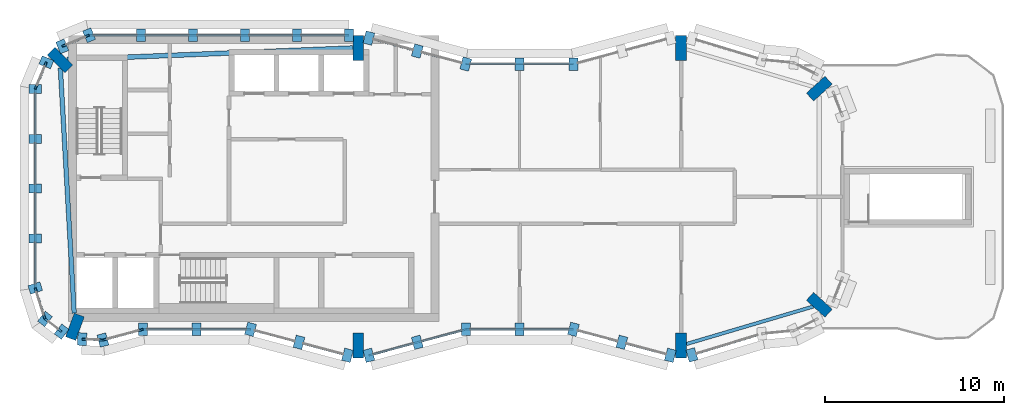
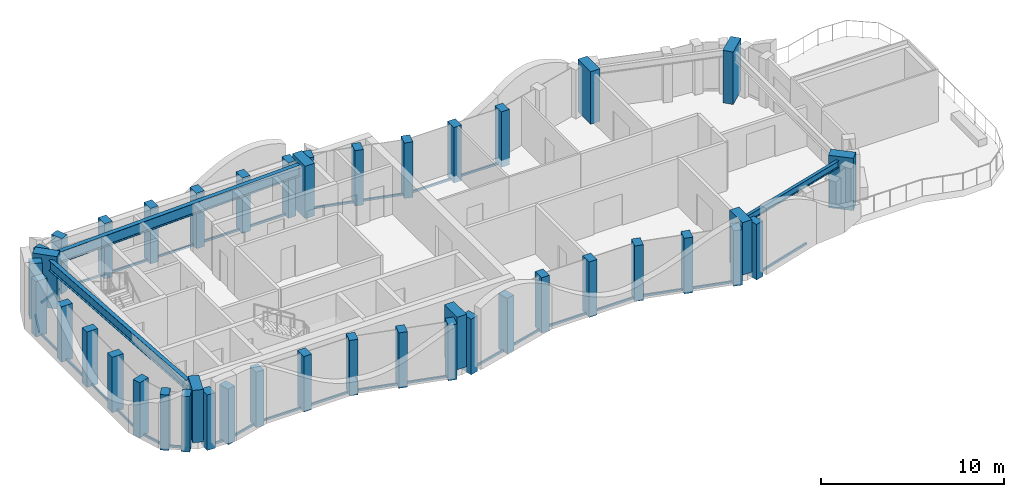
# One storey, part 1 of 9: 51 members, 8 columns, 3 beams, 16 elements without a shape of their own.
"""IFC4 building model written with IfcOpenShell, lengths in metres."""

import ifcopenshell
import ifcopenshell.guid

model = None  # the IFC model being written
_history = None  # IfcOwnerHistory: only IFC2X3 demands one
_inside = {}  # id of a spatial element -> (the spatial element, [elements in it])
_under = {}  # id of a project, library or spatial element -> (it, [spatial elements below it])
_declared = {}  # id of a project -> (the project, [libraries it declares])
_typed = {}  # id of a type object -> (the type object, [elements of that type])
_made_of = {}  # id of a material, layer set ... -> (it, [elements and type objects made of it])


def new_model(schema):
    """Start an empty IFC model of exactly this schema.

    Asked for "IFC4X3", IfcOpenShell would pick the latest addendum, in which some entities
    have other attributes; the version numbers below select the first issue.
    IFC2X3 requires an IfcOwnerHistory on every rooted entity: one is made here for all.
    """
    global model, _history
    if schema == "IFC4X3":
        model = ifcopenshell.file(schema_version=(4, 3, 0, 0))
    else:
        model = ifcopenshell.file(schema=schema)
    _inside.clear()
    _under.clear()
    _declared.clear()
    _typed.clear()
    _made_of.clear()
    _history = None
    if model.schema == "IFC2X3":
        org = make("IfcOrganization", Name="unknown")
        user = make(
            "IfcPersonAndOrganization",
            ThePerson=make("IfcPerson", FamilyName="unknown"),
            TheOrganization=org,
        )
        app = make(
            "IfcApplication",
            ApplicationDeveloper=org,
            Version="unknown",
            ApplicationFullName="unknown",
            ApplicationIdentifier="unknown",
        )
        _history = make(
            "IfcOwnerHistory",
            OwningUser=user,
            OwningApplication=app,
            ChangeAction="ADDED",
            CreationDate=0,
        )
    return model


def make(cls, **values):
    """One entity of the class cls with the attributes given. An attribute that is None is left unset."""
    return model.create_entity(
        cls, **{name: value for name, value in values.items() if value is not None}
    )


def rooted(cls, **values):
    """An entity with a GlobalId (a new one), such as an element, a storey or a relation."""
    return make(cls, GlobalId=ifcopenshell.guid.new(), OwnerHistory=_history, **values)


def si_unit(unit_type, name, prefix=None):
    """IfcSIUnit, for example si_unit("LENGTHUNIT", "METRE", prefix="MILLI")."""
    return make("IfcSIUnit", UnitType=unit_type, Prefix=prefix, Name=name)


def assignment(units):
    """IfcUnitAssignment: the units of a project."""
    return None if units is None else make("IfcUnitAssignment", Units=units)


def point(xyz):
    """IfcCartesianPoint."""
    return None if xyz is None else make("IfcCartesianPoint", Coordinates=xyz)


def direction(xyz):
    """IfcDirection."""
    return None if xyz is None else make("IfcDirection", DirectionRatios=xyz)


def frame(location, z_axis=None, x_axis=None):
    """IfcAxis2Placement3D, a coordinate frame: its origin and axes. An axis left out is left unset."""
    return make(
        "IfcAxis2Placement3D",
        Location=point(location),
        Axis=direction(z_axis),
        RefDirection=direction(x_axis),
    )


def frame_2d(location, x_axis=None):
    """IfcAxis2Placement2D, a coordinate frame in the plane: its origin and x axis."""
    return make(
        "IfcAxis2Placement2D", Location=point(location), RefDirection=direction(x_axis)
    )


def origin():
    """The frame at (0, 0, 0) with its axes left unset."""
    return frame((0.0, 0.0, 0.0))


def origin_2d():
    """The frame at (0, 0) in the plane with its x axis left unset."""
    return frame_2d((0.0, 0.0))


def place(relative_to, where):
    """IfcLocalPlacement: puts the frame where relative to a parent placement (None: the world)."""
    return make(
        "IfcLocalPlacement", PlacementRelTo=relative_to, RelativePlacement=where
    )


def context(
    kind, dimensions, precision=None, world=None, true_north=None, identifier=None
):
    """IfcGeometricRepresentationContext, for example the 3D "Model" context."""
    return make(
        "IfcGeometricRepresentationContext",
        ContextIdentifier=identifier,
        ContextType=kind,
        CoordinateSpaceDimension=dimensions,
        Precision=precision,
        WorldCoordinateSystem=world,
        TrueNorth=true_north,
    )


def subcontext(parent, identifier, kind, view, scale=None):
    """IfcGeometricRepresentationSubContext, for example "Body" below "Model"."""
    return make(
        "IfcGeometricRepresentationSubContext",
        ContextIdentifier=identifier,
        ContextType=kind,
        ParentContext=parent,
        TargetScale=scale,
        TargetView=view,
    )


def project(units=None, contexts=None):
    """IfcProject with its units and contexts."""
    return rooted(
        "IfcProject",
        Name="project",
        RepresentationContexts=contexts,
        UnitsInContext=assignment(units),
    )


def spatial(cls, under=None, at=None, **own):
    """A site, building, storey or space (cls), placed at a placement, below another one or the project."""
    s = rooted(cls, ObjectPlacement=at, **own)
    if under is not None:
        _under.setdefault(under.id(), (under, []))[1].append(s)
    return s


def profile(cls, at=None, kind="AREA", **sizes):
    """A parametric profile (cls). Its sizes go by their IFC names, for example OverallWidth=200.0."""
    return make(cls, ProfileType=kind, Position=at, **sizes)


def rectangle(**sizes):
    """IfcRectangleProfileDef."""
    return profile("IfcRectangleProfileDef", **sizes)


def i_section(**sizes):
    """IfcIShapeProfileDef."""
    return profile("IfcIShapeProfileDef", **sizes)


def extrude(swept, where, along, depth):
    """IfcExtrudedAreaSolid: the profile swept, set in the frame where, extruded along a direction by depth."""
    return make(
        "IfcExtrudedAreaSolid",
        SweptArea=swept,
        Position=where,
        ExtrudedDirection=direction(along),
        Depth=depth,
    )


def shape(context_of_items, identifier, shape_type, items):
    """IfcShapeRepresentation: the items that make up one representation, for example the "Body"."""
    return make(
        "IfcShapeRepresentation",
        ContextOfItems=context_of_items,
        RepresentationIdentifier=identifier,
        RepresentationType=shape_type,
        Items=items,
    )


def material(Name=None, Category=None):
    """IfcMaterial."""
    return make("IfcMaterial", Name=Name, Category=Category)


def layer(
    of_material, thickness, ventilated=None, Name=None, Category=None, Priority=None
):
    """IfcMaterialLayer: one layer of a wall or slab, of a material (None: an air gap)."""
    return make(
        "IfcMaterialLayer",
        Material=of_material,
        LayerThickness=thickness,
        IsVentilated=ventilated,
        Name=Name,
        Category=Category,
        Priority=Priority,
    )


def layer_set(layers, Name=None):
    """IfcMaterialLayerSet."""
    return make("IfcMaterialLayerSet", MaterialLayers=layers, LayerSetName=Name)


def material_profile(
    of_material, cross_section, Name=None, Category=None, Priority=None
):
    """IfcMaterialProfile: a cross section and its material."""
    return make(
        "IfcMaterialProfile",
        Name=Name,
        Material=of_material,
        Profile=cross_section,
        Priority=Priority,
        Category=Category,
    )


def profile_set(profiles, Name=None, composite=None):
    """IfcMaterialProfileSet."""
    return make(
        "IfcMaterialProfileSet",
        Name=Name,
        MaterialProfiles=profiles,
        CompositeProfile=composite,
    )


def made_of(thing, what):
    """Note that an element or type object is made of a material, layer set ...; save() writes the relation."""
    if what is not None:
        _made_of.setdefault(what.id(), (what, []))[1].append(thing)
    return thing


def type_object(cls, material=None, **own):
    """A type object (cls), such as IfcWallType, which elements share."""
    return made_of(rooted(cls, **own), material)


def element(
    cls,
    number,
    at=None,
    inside=None,
    cuts=None,
    type_object=None,
    material=None,
    context=None,
    identifier="Body",
    shape_type=None,
    held_by="IfcProductDefinitionShape",
    body=None,
    shapes=None,
    **own,
):
    """One element of the class cls, such as IfcWall. Its Tag is "e" and its number.

    at: its placement. inside: the storey or other place that contains it. cuts: it is an
    opening in that element (IfcRelVoidsElement). A single representation is given by context,
    identifier, shape_type and body (its items); several are given by shapes. held_by: the class
    of the entity that holds the representations. save() writes the other relations.
    """
    e = rooted(cls, Tag="e%d" % number, ObjectPlacement=at, **own)
    if body is not None:
        shapes = [shape(context, identifier, shape_type, body)]
    if shapes is not None:
        e.Representation = make(held_by, Representations=shapes)
    if inside is not None:
        _inside.setdefault(inside.id(), (inside, []))[1].append(e)
    if cuts is not None:
        rooted(
            "IfcRelVoidsElement", RelatingBuildingElement=cuts, RelatedOpeningElement=e
        )
    if type_object is not None:
        _typed.setdefault(type_object.id(), (type_object, []))[1].append(e)
    return made_of(e, material)


def aggregate(whole, parts):
    """IfcRelAggregates: a whole, such as a stair, and the parts it consists of."""
    return rooted("IfcRelAggregates", RelatingObject=whole, RelatedObjects=parts)


def save(model, path):
    """Write the relations noted so far, then the file.

    IfcRelAggregates (storeys below a building ...), IfcRelContainedInSpatialStructure (elements
    in a storey), IfcRelDefinesByType, IfcRelAssociatesMaterial and IfcRelDeclares: one each for
    every whole, place, type object, material and project.
    """
    for whole, parts in _under.values():
        aggregate(whole, parts)
    for where, things in _inside.values():
        rooted(
            "IfcRelContainedInSpatialStructure",
            RelatedElements=things,
            RelatingStructure=where,
        )
    for kind, things in _typed.values():
        rooted("IfcRelDefinesByType", RelatedObjects=things, RelatingType=kind)
    for what, things in _made_of.values():
        rooted("IfcRelAssociatesMaterial", RelatedObjects=things, RelatingMaterial=what)
    for by, libraries in _declared.values():
        rooted("IfcRelDeclares", RelatingContext=by, RelatedDefinitions=libraries)
    model.write(path)


model = new_model("IFC4")

# Units and contexts
model_context = context("Model", 3, precision=1e-05, world=origin(), true_north=direction((0.0, 1.0)))
body_context = subcontext(model_context, "Body", "Model", "MODEL_VIEW")
ifc_project = project(units=[si_unit("LENGTHUNIT", "METRE"), si_unit("AREAUNIT", "SQUARE_METRE"), si_unit("VOLUMEUNIT", "CUBIC_METRE"), si_unit("PLANEANGLEUNIT", "RADIAN"), si_unit("MASSUNIT", "GRAM", prefix="KILO")], contexts=[model_context])

# Site, building, storey
site_placement = place(None, origin())
site = spatial("IfcSite", under=ifc_project, at=site_placement, CompositionType="ELEMENT")
building_placement = place(site_placement, origin())
building = spatial("IfcBuilding", under=site, at=building_placement, Name="Plateau Cross Towers", CompositionType="ELEMENT")
storey_placement = place(building_placement, frame((0.0, 0.0, 287.89990234375)))
storey = spatial("IfcBuildingStorey", under=building, at=storey_placement, Name="L76 Crown 1", CompositionType="ELEMENT", Elevation=287.89990234375)

# Columns
ifc_material_1 = material(Name="Concrete C60/75", Category="concrete")
ifc_material_profile_1 = material_profile(ifc_material_1, rectangle(XDim=0.60009765625, YDim=1.39990234375, at=origin_2d()), Name="RC 600x1400")
ifc_profile_set_1 = profile_set([ifc_material_profile_1], Name="Concrete C60/75")
column_type = type_object("IfcColumnType", Name="Fin pier column RC 600x1400", PredefinedType="COLUMN", material=ifc_profile_set_1)
for number, where, z_axis, x_axis, name in (
    (1, (18.0, 0.699951171875, 0.0), (0.0, 0.0, 1.0), (1.0, 0.0, 0.0), "PR1 L76 Crown 1"),
    (2, (36.0, 0.699951171875, 0.0), (0.0, 0.0, 1.0), (1.0, 0.0, 0.0), "PR2 L76 Crown 1"),
    (3, (43.703125, 2.97705078125, 0.0), (0.0, 0.0, 1.0), (0.672084253376, 0.740474683135, 0.0), "PR15 L76 Crown 1"),
    (4, (43.703125, 15.02294921875, 0.0), (0.0, 0.0, 1.0), (-0.672084253376, 0.740474683135, 0.0), "PR16 L76 Crown 1"),
    (5, (36.0, 17.300048828125, 0.0), (0.0, 0.0, 1.0), (1.0, 0.0, 0.0), "PR5 L76 Crown 1"),
    (6, (18.0, 17.300048828125, 0.0), (0.0, 0.0, 1.0), (1.0, 0.0, 0.0), "PR13 L76 Crown 1"),
    (7, (1.37353515625, 16.62646484375, 0.0), (0.0, 0.0, 1.0), (0.707106781187, 0.707106781187, 0.0), "PR14 L76 Crown 1"),
    (8, (2.213134765625, 1.748046875, 0.0), (0.0, 0.0, 1.0), (-0.939664280925, 0.342097996418, 0.0), "PR12 L76 Crown 1"),
):
    element("IfcColumn", number, at=place(storey_placement, frame(where, z_axis=z_axis, x_axis=x_axis)), inside=storey, type_object=column_type, Name=name, PredefinedType="COLUMN", context=body_context, shape_type="SweptSolid", body=[
        extrude(rectangle(XDim=0.60009765625, YDim=1.39990234375, at=origin_2d()), origin(), (0.0, 0.0, 1.0), 3.5),
    ])

# Beams
ifc_material_2 = material(Name="Steel S355", Category="steel")
ifc_material_profile_2 = material_profile(ifc_material_2, i_section(OverallWidth=0.18994140625, OverallDepth=0.453369140625, WebThickness=0.008544921875, FlangeThickness=0.0126953125, FilletRadius=0.01025390625, at=origin_2d()), Name="UB 457x191x67")
ifc_profile_set_2 = profile_set([ifc_material_profile_2], Name="Steel S355")
beam_type_1 = type_object("IfcBeamType", Name="Crown ring beam UB 457x191x67", PredefinedType="BEAM", material=ifc_profile_set_2)
beam_1_placement = place(storey_placement, frame((36.300048828125, 0.78857421875, 3.0234375), z_axis=(0.958969404993, 0.283509577064, 0.0), x_axis=(-0.283509577064, 0.958969404993, 0.0)))
element("IfcBeam", 9, at=beam_1_placement, inside=storey, type_object=beam_type_1, Name="CRB-L76 Crown 1-02", PredefinedType="BEAM", context=body_context, shape_type="SweptSolid", body=[
    extrude(i_section(OverallWidth=0.18994140625, OverallDepth=0.453369140625, WebThickness=0.008544921875, FlangeThickness=0.0126953125, FilletRadius=0.01025390625, at=origin_2d()), origin(), (0.0, 0.0, 1.0), 7.36865234375),
])
ifc_material_profile_3 = material_profile(ifc_material_2, i_section(OverallWidth=0.2529296875, OverallDepth=0.677978515625, WebThickness=0.01171875, FlangeThickness=0.01611328125, FilletRadius=0.01513671875, at=origin_2d()), Name="UB 686x254x125")
ifc_profile_set_3 = profile_set([ifc_material_profile_3], Name="Steel S355")
beam_type_2 = type_object("IfcBeamType", Name="Crown ring beam UB 686x254x125", PredefinedType="BEAM", material=ifc_profile_set_3)
beam_2_placement = place(storey_placement, frame((1.39892578125, 16.1767578125, 2.9111328125), z_axis=(0.056348976318, -0.998411134187, 0.0), x_axis=(0.998411134187, 0.056348976318, 0.0)))
element("IfcBeam", 10, at=beam_2_placement, inside=storey, type_object=beam_type_2, Name="CRB-L76 Crown 1-07", PredefinedType="BEAM", context=body_context, shape_type="SweptSolid", body=[
    extrude(i_section(OverallWidth=0.2529296875, OverallDepth=0.677978515625, WebThickness=0.01171875, FlangeThickness=0.01611328125, FilletRadius=0.01513671875, at=origin_2d()), origin(), (0.0, 0.0, 1.0), 13.691162109375),
])
ifc_material_profile_4 = material_profile(ifc_material_2, i_section(OverallWidth=0.26513671875, OverallDepth=0.75390625, WebThickness=0.0126953125, FlangeThickness=0.017578125, FilletRadius=0.0166015625, at=origin_2d()), Name="UB 762x267x147")
ifc_profile_set_4 = profile_set([ifc_material_profile_4], Name="Steel S355")
beam_type_3 = type_object("IfcBeamType", Name="Crown ring beam UB 762x267x147", PredefinedType="BEAM", material=ifc_profile_set_4)
beam_3_placement = place(storey_placement, frame((17.699951171875, 17.287841796875, 2.873046875), z_axis=(-0.999180065047, -0.040487005488, 0.0), x_axis=(0.040487005488, -0.999180065047, 0.0)))
element("IfcBeam", 11, at=beam_3_placement, inside=storey, type_object=beam_type_3, Name="CRB-L76 Crown 1-06", PredefinedType="BEAM", context=body_context, shape_type="SweptSolid", body=[
    extrude(i_section(OverallWidth=0.26513671875, OverallDepth=0.75390625, WebThickness=0.0126953125, FlangeThickness=0.017578125, FilletRadius=0.0166015625, at=origin_2d()), origin(), (0.0, 0.0, 1.0), 15.931640625),
])

# Curtain wall, member
ifc_material_3 = material(Name="Dark low-iron glass", Category="glass")
ifc_layer = layer(ifc_material_3, 0.800048828125)
ifc_layer_set = layer_set([ifc_layer], Name="Dark low-iron glass")
curtain_wall_type = type_object("IfcCurtainWallType", Name="Curtain wall sky lounge CW-D", PredefinedType="NOTDEFINED", material=ifc_layer_set)
curtain_wall_1_placement = place(storey_placement, origin())
curtain_wall_1 = element("IfcCurtainWall", 12, at=curtain_wall_1_placement, inside=storey, type_object=curtain_wall_type, Name="ENV/A/L76 Crown 1/A38_10", PredefinedType="NOTDEFINED")
ifc_material_4 = material(Name="Black anodised aluminium", Category="aluminium")
ifc_material_profile_5 = material_profile(ifc_material_4, rectangle(XDim=0.5, YDim=0.699951171875, at=origin_2d()), Name="MULLION 500x700")
ifc_profile_set_5 = profile_set([ifc_material_profile_5], Name="Black anodised aluminium")
member_type_1 = type_object("IfcMemberType", Name="Mullion 500x700 sky lounge", PredefinedType="MULLION", material=ifc_profile_set_5)
member_1_placement = place(storey_placement, frame((3.776123046875, 1.01123046875, -0.449951171875), z_axis=(0.0, 0.0, 1.0), x_axis=(0.965957962328, 0.258699081978, 0.0)))
member_1 = element("IfcMember", 13, at=member_1_placement, type_object=member_type_1, Name="CW-D mullion 1", PredefinedType="MULLION", context=body_context, shape_type="SweptSolid", body=[
    extrude(rectangle(XDim=0.5, YDim=0.699951171875, at=origin_2d()), origin(), (0.0, 0.0, 1.0), 3.699951171875),
])

# Curtain wall, members
curtain_wall_2_placement = place(storey_placement, origin())
curtain_wall_2 = element("IfcCurtainWall", 14, at=curtain_wall_2_placement, inside=storey, type_object=curtain_wall_type, Name="ENV/A/L76 Crown 1/A60_16", PredefinedType="NOTDEFINED")
member_2_placement = place(storey_placement, frame((6.0, 1.60693359375, -0.449951171875), z_axis=(0.0, 0.0, 1.0), x_axis=(1.0, 0.0, 0.0)))
member_2 = element("IfcMember", 15, at=member_2_placement, type_object=member_type_1, Name="CW-D mullion 1", PredefinedType="MULLION", context=body_context, shape_type="SweptSolid", body=[
    extrude(rectangle(XDim=0.5, YDim=0.699951171875, at=origin_2d()), origin(), (0.0, 0.0, 1.0), 3.699951171875),
])
member_3_placement = place(storey_placement, frame((9.0, 1.60693359375, -0.449951171875), z_axis=(0.0, 0.0, 1.0), x_axis=(1.0, 0.0, 0.0)))
member_3 = element("IfcMember", 16, at=member_3_placement, type_object=member_type_1, Name="CW-D mullion 2", PredefinedType="MULLION", context=body_context, shape_type="SweptSolid", body=[
    extrude(rectangle(XDim=0.5, YDim=0.699951171875, at=origin_2d()), origin(), (0.0, 0.0, 1.0), 3.699951171875),
])

curtain_wall_3_placement = place(storey_placement, origin())
curtain_wall_3 = element("IfcCurtainWall", 17, at=curtain_wall_3_placement, inside=storey, type_object=curtain_wall_type, Name="ENV/A/L76 Crown 1/A120_16", PredefinedType="NOTDEFINED")
member_4_placement = place(storey_placement, frame((12.0, 1.60693359375, -0.449951171875), z_axis=(0.0, 0.0, 1.0), x_axis=(0.965957983404, -0.258699003279, 0.0)))
member_4 = element("IfcMember", 18, at=member_4_placement, type_object=member_type_1, Name="CW-D mullion 1", PredefinedType="MULLION", context=body_context, shape_type="SweptSolid", body=[
    extrude(rectangle(XDim=0.5, YDim=0.699951171875, at=origin_2d()), origin(), (0.0, 0.0, 1.0), 3.699951171875),
])
member_5_placement = place(storey_placement, frame((14.70166015625, 0.88330078125, -0.449951171875), z_axis=(0.0, 0.0, 1.0), x_axis=(0.965957983404, -0.258699003279, 0.0)))
member_5 = element("IfcMember", 19, at=member_5_placement, type_object=member_type_1, Name="CW-D mullion 2", PredefinedType="MULLION", context=body_context, shape_type="SweptSolid", body=[
    extrude(rectangle(XDim=0.5, YDim=0.699951171875, at=origin_2d()), origin(), (0.0, 0.0, 1.0), 3.699951171875),
])
member_6_placement = place(storey_placement, frame((17.403076171875, 0.159912109375, -0.449951171875), z_axis=(0.0, 0.0, 1.0), x_axis=(0.965957983404, -0.258699003279, 0.0)))
member_6 = element("IfcMember", 20, at=member_6_placement, type_object=member_type_1, Name="CW-D mullion 3", PredefinedType="MULLION", context=body_context, shape_type="SweptSolid", body=[
    extrude(rectangle(XDim=0.5, YDim=0.699951171875, at=origin_2d()), origin(), (0.0, 0.0, 1.0), 3.699951171875),
])

curtain_wall_4_placement = place(storey_placement, origin())
curtain_wall_4 = element("IfcCurtainWall", 21, at=curtain_wall_4_placement, inside=storey, type_object=curtain_wall_type, Name="ENV/A/L76 Crown 1/A186_2", PredefinedType="NOTDEFINED")
member_7_placement = place(storey_placement, frame((18.596923828125, 0.159912109375, -0.449951171875), z_axis=(0.0, 0.0, 1.0), x_axis=(0.965957983404, 0.258699003279, 0.0)))
member_7 = element("IfcMember", 22, at=member_7_placement, type_object=member_type_1, Name="CW-D mullion 1", PredefinedType="MULLION", context=body_context, shape_type="SweptSolid", body=[
    extrude(rectangle(XDim=0.5, YDim=0.699951171875, at=origin_2d()), origin(), (0.0, 0.0, 1.0), 3.699951171875),
])
member_8_placement = place(storey_placement, frame((21.29833984375, 0.88330078125, -0.449951171875), z_axis=(0.0, 0.0, 1.0), x_axis=(0.965957983404, 0.258699003279, 0.0)))
member_8 = element("IfcMember", 23, at=member_8_placement, type_object=member_type_1, Name="CW-D mullion 2", PredefinedType="MULLION", context=body_context, shape_type="SweptSolid", body=[
    extrude(rectangle(XDim=0.5, YDim=0.699951171875, at=origin_2d()), origin(), (0.0, 0.0, 1.0), 3.699951171875),
])

curtain_wall_5_placement = place(storey_placement, origin())
curtain_wall_5 = element("IfcCurtainWall", 24, at=curtain_wall_5_placement, inside=storey, type_object=curtain_wall_type, Name="ENV/A/L76 Crown 1/A240_16", PredefinedType="NOTDEFINED")
member_9_placement = place(storey_placement, frame((24.0, 1.60693359375, -0.449951171875), z_axis=(0.0, 0.0, 1.0), x_axis=(1.0, 0.0, 0.0)))
member_9 = element("IfcMember", 25, at=member_9_placement, type_object=member_type_1, Name="CW-D mullion 1", PredefinedType="MULLION", context=body_context, shape_type="SweptSolid", body=[
    extrude(rectangle(XDim=0.5, YDim=0.699951171875, at=origin_2d()), origin(), (0.0, 0.0, 1.0), 3.699951171875),
])
member_10_placement = place(storey_placement, frame((27.0, 1.60693359375, -0.449951171875), z_axis=(0.0, 0.0, 1.0), x_axis=(1.0, 0.0, 0.0)))
member_10 = element("IfcMember", 26, at=member_10_placement, type_object=member_type_1, Name="CW-D mullion 2", PredefinedType="MULLION", context=body_context, shape_type="SweptSolid", body=[
    extrude(rectangle(XDim=0.5, YDim=0.699951171875, at=origin_2d()), origin(), (0.0, 0.0, 1.0), 3.699951171875),
])

curtain_wall_6_placement = place(storey_placement, origin())
curtain_wall_6 = element("IfcCurtainWall", 27, at=curtain_wall_6_placement, inside=storey, type_object=curtain_wall_type, Name="ENV/A/L76 Crown 1/A300_16", PredefinedType="NOTDEFINED")
member_11_placement = place(storey_placement, frame((30.0, 1.60693359375, -0.449951171875), z_axis=(0.0, 0.0, 1.0), x_axis=(0.965957983404, -0.258699003279, 0.0)))
member_11 = element("IfcMember", 28, at=member_11_placement, type_object=member_type_1, Name="CW-D mullion 1", PredefinedType="MULLION", context=body_context, shape_type="SweptSolid", body=[
    extrude(rectangle(XDim=0.5, YDim=0.699951171875, at=origin_2d()), origin(), (0.0, 0.0, 1.0), 3.699951171875),
])
member_12_placement = place(storey_placement, frame((32.70166015625, 0.88330078125, -0.449951171875), z_axis=(0.0, 0.0, 1.0), x_axis=(0.965957983404, -0.258699003279, 0.0)))
member_12 = element("IfcMember", 29, at=member_12_placement, type_object=member_type_1, Name="CW-D mullion 2", PredefinedType="MULLION", context=body_context, shape_type="SweptSolid", body=[
    extrude(rectangle(XDim=0.5, YDim=0.699951171875, at=origin_2d()), origin(), (0.0, 0.0, 1.0), 3.699951171875),
])
member_13_placement = place(storey_placement, frame((35.403076171875, 0.159912109375, -0.449951171875), z_axis=(0.0, 0.0, 1.0), x_axis=(0.965957983404, -0.258699003279, 0.0)))
member_13 = element("IfcMember", 30, at=member_13_placement, type_object=member_type_1, Name="CW-D mullion 3", PredefinedType="MULLION", context=body_context, shape_type="SweptSolid", body=[
    extrude(rectangle(XDim=0.5, YDim=0.699951171875, at=origin_2d()), origin(), (0.0, 0.0, 1.0), 3.699951171875),
])

# Curtain wall, member
curtain_wall_7_placement = place(storey_placement, origin())
curtain_wall_7 = element("IfcCurtainWall", 31, at=curtain_wall_7_placement, inside=storey, type_object=curtain_wall_type, Name="ENV/A/L76 Crown 1/A366_2", PredefinedType="NOTDEFINED")
member_14_placement = place(storey_placement, frame((36.60546875, 0.183349609375, -0.449951171875), z_axis=(0.0, 0.0, 1.0), x_axis=(0.957048328724, 0.289928433386, 0.0)))
member_14 = element("IfcMember", 32, at=member_14_placement, type_object=member_type_1, Name="CW-D mullion 1", PredefinedType="MULLION", context=body_context, shape_type="SweptSolid", body=[
    extrude(rectangle(XDim=0.5, YDim=0.699951171875, at=origin_2d()), origin(), (0.0, 0.0, 1.0), 3.699951171875),
])

# Curtain wall, members
curtain_wall_8_placement = place(storey_placement, origin())
curtain_wall_8 = element("IfcCurtainWall", 33, at=curtain_wall_8_placement, inside=storey, type_object=curtain_wall_type, Name="ENV/A/L76 Crown 1/A300_164", PredefinedType="NOTDEFINED")
member_15_placement = place(storey_placement, frame((30.0, 16.39306640625, -0.449951171875), z_axis=(0.0, 0.0, 1.0), x_axis=(-1.0, 0.0, 0.0)))
member_15 = element("IfcMember", 34, at=member_15_placement, type_object=member_type_1, Name="CW-D mullion 1", PredefinedType="MULLION", context=body_context, shape_type="SweptSolid", body=[
    extrude(rectangle(XDim=0.5, YDim=0.699951171875, at=origin_2d()), origin(), (0.0, 0.0, 1.0), 3.699951171875),
])
member_16_placement = place(storey_placement, frame((27.0, 16.39306640625, -0.449951171875), z_axis=(0.0, 0.0, 1.0), x_axis=(-1.0, 0.0, 0.0)))
member_16 = element("IfcMember", 35, at=member_16_placement, type_object=member_type_1, Name="CW-D mullion 2", PredefinedType="MULLION", context=body_context, shape_type="SweptSolid", body=[
    extrude(rectangle(XDim=0.5, YDim=0.699951171875, at=origin_2d()), origin(), (0.0, 0.0, 1.0), 3.699951171875),
])

curtain_wall_9_placement = place(storey_placement, origin())
curtain_wall_9 = element("IfcCurtainWall", 36, at=curtain_wall_9_placement, inside=storey, type_object=curtain_wall_type, Name="ENV/A/L76 Crown 1/A240_164", PredefinedType="NOTDEFINED")
member_17_placement = place(storey_placement, frame((24.0, 16.39306640625, -0.449951171875), z_axis=(0.0, 0.0, 1.0), x_axis=(-0.965957983404, 0.258699003279, 0.0)))
member_17 = element("IfcMember", 37, at=member_17_placement, type_object=member_type_1, Name="CW-D mullion 1", PredefinedType="MULLION", context=body_context, shape_type="SweptSolid", body=[
    extrude(rectangle(XDim=0.5, YDim=0.699951171875, at=origin_2d()), origin(), (0.0, 0.0, 1.0), 3.699951171875),
])
member_18_placement = place(storey_placement, frame((21.29833984375, 17.11669921875, -0.449951171875), z_axis=(0.0, 0.0, 1.0), x_axis=(-0.965957983404, 0.258699003279, 0.0)))
member_18 = element("IfcMember", 38, at=member_18_placement, type_object=member_type_1, Name="CW-D mullion 2", PredefinedType="MULLION", context=body_context, shape_type="SweptSolid", body=[
    extrude(rectangle(XDim=0.5, YDim=0.699951171875, at=origin_2d()), origin(), (0.0, 0.0, 1.0), 3.699951171875),
])
member_19_placement = place(storey_placement, frame((18.596923828125, 17.840087890625, -0.449951171875), z_axis=(0.0, 0.0, 1.0), x_axis=(-0.965957983404, 0.258699003279, 0.0)))
member_19 = element("IfcMember", 39, at=member_19_placement, type_object=member_type_1, Name="CW-D mullion 3", PredefinedType="MULLION", context=body_context, shape_type="SweptSolid", body=[
    extrude(rectangle(XDim=0.5, YDim=0.699951171875, at=origin_2d()), origin(), (0.0, 0.0, 1.0), 3.699951171875),
])

curtain_wall_10_placement = place(storey_placement, origin())
curtain_wall_10 = element("IfcCurtainWall", 40, at=curtain_wall_10_placement, inside=storey, type_object=curtain_wall_type, Name="ENV/A/L76 Crown 1/A175_180", PredefinedType="NOTDEFINED")
member_20_placement = place(storey_placement, frame((17.485107421875, 18.0, -0.449951171875), z_axis=(0.0, 0.0, 1.0), x_axis=(-1.0, 0.0, 0.0)))
member_20 = element("IfcMember", 41, at=member_20_placement, type_object=member_type_1, Name="CW-D mullion 1", PredefinedType="MULLION", context=body_context, shape_type="SweptSolid", body=[
    extrude(rectangle(XDim=0.5, YDim=0.699951171875, at=origin_2d()), origin(), (0.0, 0.0, 1.0), 3.699951171875),
])
member_21_placement = place(storey_placement, frame((14.587890625, 18.0, -0.449951171875), z_axis=(0.0, 0.0, 1.0), x_axis=(-1.0, 0.0, 0.0)))
member_21 = element("IfcMember", 42, at=member_21_placement, type_object=member_type_1, Name="CW-D mullion 2", PredefinedType="MULLION", context=body_context, shape_type="SweptSolid", body=[
    extrude(rectangle(XDim=0.5, YDim=0.699951171875, at=origin_2d()), origin(), (0.0, 0.0, 1.0), 3.699951171875),
])
member_22_placement = place(storey_placement, frame((11.69091796875, 18.0, -0.449951171875), z_axis=(0.0, 0.0, 1.0), x_axis=(-1.0, 0.0, 0.0)))
member_22 = element("IfcMember", 43, at=member_22_placement, type_object=member_type_1, Name="CW-D mullion 3", PredefinedType="MULLION", context=body_context, shape_type="SweptSolid", body=[
    extrude(rectangle(XDim=0.5, YDim=0.699951171875, at=origin_2d()), origin(), (0.0, 0.0, 1.0), 3.699951171875),
])
member_23_placement = place(storey_placement, frame((8.7939453125, 18.0, -0.449951171875), z_axis=(0.0, 0.0, 1.0), x_axis=(-1.0, 0.0, 0.0)))
member_23 = element("IfcMember", 44, at=member_23_placement, type_object=member_type_1, Name="CW-D mullion 4", PredefinedType="MULLION", context=body_context, shape_type="SweptSolid", body=[
    extrude(rectangle(XDim=0.5, YDim=0.699951171875, at=origin_2d()), origin(), (0.0, 0.0, 1.0), 3.699951171875),
])
member_24_placement = place(storey_placement, frame((5.89697265625, 18.0, -0.449951171875), z_axis=(0.0, 0.0, 1.0), x_axis=(-1.0, 0.0, 0.0)))
member_24 = element("IfcMember", 45, at=member_24_placement, type_object=member_type_1, Name="CW-D mullion 5", PredefinedType="MULLION", context=body_context, shape_type="SweptSolid", body=[
    extrude(rectangle(XDim=0.5, YDim=0.699951171875, at=origin_2d()), origin(), (0.0, 0.0, 1.0), 3.699951171875),
])

curtain_wall_11_placement = place(storey_placement, origin())
curtain_wall_11 = element("IfcCurtainWall", 46, at=curtain_wall_11_placement, inside=storey, type_object=curtain_wall_type, Name="ENV/A/L76 Crown 1/A30_180", PredefinedType="NOTDEFINED")
member_25_placement = place(storey_placement, frame((3.0, 18.0, -0.449951171875), z_axis=(0.0, 0.0, 1.0), x_axis=(-0.923879457699, -0.382683612978, 0.0)))
member_25 = element("IfcMember", 47, at=member_25_placement, type_object=member_type_1, Name="CW-D mullion 1", PredefinedType="MULLION", context=body_context, shape_type="SweptSolid", body=[
    extrude(rectangle(XDim=0.5, YDim=0.699951171875, at=origin_2d()), origin(), (0.0, 0.0, 1.0), 3.699951171875),
])
member_26_placement = place(storey_placement, frame((1.50830078125, 17.382080078125, -0.449951171875), z_axis=(0.0, 0.0, 1.0), x_axis=(-0.923879457699, -0.382683612978, 0.0)))
member_26 = element("IfcMember", 48, at=member_26_placement, type_object=member_type_1, Name="CW-D mullion 2", PredefinedType="MULLION", context=body_context, shape_type="SweptSolid", body=[
    extrude(rectangle(XDim=0.5, YDim=0.699951171875, at=origin_2d()), origin(), (0.0, 0.0, 1.0), 3.699951171875),
])

# Curtain wall, member
curtain_wall_12_placement = place(storey_placement, origin())
curtain_wall_12 = element("IfcCurtainWall", 49, at=curtain_wall_12_placement, inside=storey, type_object=curtain_wall_type, Name="ENV/A/L76 Crown 1/A6_165", PredefinedType="NOTDEFINED")
member_27_placement = place(storey_placement, frame((0.617919921875, 16.49169921875, -0.449951171875), z_axis=(0.0, 0.0, 1.0), x_axis=(-0.382683612978, -0.923879457699, 0.0)))
member_27 = element("IfcMember", 50, at=member_27_placement, type_object=member_type_1, Name="CW-D mullion 1", PredefinedType="MULLION", context=body_context, shape_type="SweptSolid", body=[
    extrude(rectangle(XDim=0.5, YDim=0.699951171875, at=origin_2d()), origin(), (0.0, 0.0, 1.0), 3.699951171875),
])

# Curtain wall, members
curtain_wall_13_placement = place(storey_placement, origin())
curtain_wall_13 = element("IfcCurtainWall", 51, at=curtain_wall_13_placement, inside=storey, type_object=curtain_wall_type, Name="ENV/A/L76 Crown 1/A0_150", PredefinedType="NOTDEFINED")
member_28_placement = place(storey_placement, frame((0.0, 15.0, -0.449951171875), z_axis=(0.0, 0.0, 1.0), x_axis=(0.0, -1.0, 0.0)))
member_28 = element("IfcMember", 52, at=member_28_placement, type_object=member_type_1, Name="CW-D mullion 1", PredefinedType="MULLION", context=body_context, shape_type="SweptSolid", body=[
    extrude(rectangle(XDim=0.5, YDim=0.699951171875, at=origin_2d()), origin(), (0.0, 0.0, 1.0), 3.699951171875),
])
member_29_placement = place(storey_placement, frame((0.0, 12.227294921875, -0.449951171875), z_axis=(0.0, 0.0, 1.0), x_axis=(0.0, -1.0, 0.0)))
member_29 = element("IfcMember", 53, at=member_29_placement, type_object=member_type_1, Name="CW-D mullion 2", PredefinedType="MULLION", context=body_context, shape_type="SweptSolid", body=[
    extrude(rectangle(XDim=0.5, YDim=0.699951171875, at=origin_2d()), origin(), (0.0, 0.0, 1.0), 3.699951171875),
])
member_30_placement = place(storey_placement, frame((0.0, 9.45458984375, -0.449951171875), z_axis=(0.0, 0.0, 1.0), x_axis=(0.0, -1.0, 0.0)))
member_30 = element("IfcMember", 54, at=member_30_placement, type_object=member_type_1, Name="CW-D mullion 3", PredefinedType="MULLION", context=body_context, shape_type="SweptSolid", body=[
    extrude(rectangle(XDim=0.5, YDim=0.699951171875, at=origin_2d()), origin(), (0.0, 0.0, 1.0), 3.699951171875),
])
member_31_placement = place(storey_placement, frame((0.0, 6.681884765625, -0.449951171875), z_axis=(0.0, 0.0, 1.0), x_axis=(0.0, -1.0, 0.0)))
member_31 = element("IfcMember", 55, at=member_31_placement, type_object=member_type_1, Name="CW-D mullion 4", PredefinedType="MULLION", context=body_context, shape_type="SweptSolid", body=[
    extrude(rectangle(XDim=0.5, YDim=0.699951171875, at=origin_2d()), origin(), (0.0, 0.0, 1.0), 3.699951171875),
])

# Curtain wall, member
curtain_wall_14_placement = place(storey_placement, origin())
curtain_wall_14 = element("IfcCurtainWall", 56, at=curtain_wall_14_placement, inside=storey, type_object=curtain_wall_type, Name="ENV/A/L76 Crown 1/A0_39", PredefinedType="NOTDEFINED")
member_32_placement = place(storey_placement, frame((0.0, 3.9091796875, -0.449951171875), z_axis=(0.0, 0.0, 1.0), x_axis=(0.300686174994, -0.95372313811, 0.0)))
member_32 = element("IfcMember", 57, at=member_32_placement, type_object=member_type_1, Name="CW-D mullion 1", PredefinedType="MULLION", context=body_context, shape_type="SweptSolid", body=[
    extrude(rectangle(XDim=0.5, YDim=0.699951171875, at=origin_2d()), origin(), (0.0, 0.0, 1.0), 3.699951171875),
])

# Curtain wall, members
curtain_wall_15_placement = place(storey_placement, origin())
curtain_wall_15 = element("IfcCurtainWall", 58, at=curtain_wall_15_placement, inside=storey, type_object=curtain_wall_type, Name="ENV/A/L76 Crown 1/A5_22", PredefinedType="NOTDEFINED")
member_33_placement = place(storey_placement, frame((0.54248046875, 2.1884765625, -0.449951171875), z_axis=(0.0, 0.0, 1.0), x_axis=(0.793315514529, -0.608810721331, 0.0)))
member_33 = element("IfcMember", 59, at=member_33_placement, type_object=member_type_1, Name="CW-D mullion 1", PredefinedType="MULLION", context=body_context, shape_type="SweptSolid", body=[
    extrude(rectangle(XDim=0.5, YDim=0.699951171875, at=origin_2d()), origin(), (0.0, 0.0, 1.0), 3.699951171875),
])
member_34_placement = place(storey_placement, frame((1.467529296875, 1.478515625, -0.449951171875), z_axis=(0.0, 0.0, 1.0), x_axis=(0.793315514529, -0.608810721331, 0.0)))
member_34 = element("IfcMember", 60, at=member_34_placement, type_object=member_type_1, Name="CW-D mullion 2", PredefinedType="MULLION", context=body_context, shape_type="SweptSolid", body=[
    extrude(rectangle(XDim=0.5, YDim=0.699951171875, at=origin_2d()), origin(), (0.0, 0.0, 1.0), 3.699951171875),
])

# Curtain wall, member
curtain_wall_16_placement = place(storey_placement, origin())
curtain_wall_16 = element("IfcCurtainWall", 61, at=curtain_wall_16_placement, inside=storey, type_object=curtain_wall_type, Name="ENV/A/L76 Crown 1/A26_11", PredefinedType="NOTDEFINED")
member_35_placement = place(storey_placement, frame((2.611083984375, 1.062255859375, -0.449951171875), z_axis=(0.0, 0.0, 1.0), x_axis=(0.999043701491, -0.043722791671, 0.0)))
member_35 = element("IfcMember", 62, at=member_35_placement, type_object=member_type_1, Name="CW-D mullion 1", PredefinedType="MULLION", context=body_context, shape_type="SweptSolid", body=[
    extrude(rectangle(XDim=0.5, YDim=0.699951171875, at=origin_2d()), origin(), (0.0, 0.0, 1.0), 3.699951171875),
])

# Member
ifc_material_profile_6 = material_profile(ifc_material_4, rectangle(XDim=0.10009765625, YDim=0.139892578125, at=origin_2d()), Name="TRANSOM 100x140")
ifc_profile_set_6 = profile_set([ifc_material_profile_6], Name="Black anodised aluminium")
member_type_2 = type_object("IfcMemberType", Name="Transom 100x140 sky lounge", PredefinedType="USERDEFINED", material=ifc_profile_set_6)
member_36_placement = place(storey_placement, frame((3.776123046875, 1.01123046875, -0.3798828125), z_axis=(0.965945685136, 0.258744919501, 0.0), x_axis=(-0.258744919501, 0.965945685136, 0.0)))
member_36 = element("IfcMember", 63, at=member_36_placement, type_object=member_type_2, Name="CW-D transom", ObjectType="TRANSOM", PredefinedType="USERDEFINED", context=body_context, shape_type="SweptSolid", body=[
    extrude(rectangle(XDim=0.10009765625, YDim=0.139892578125, at=origin_2d()), origin(), (0.0, 0.0, 1.0), 2.30224609375),
])

aggregate(curtain_wall_1, [member_1, member_36])

member_37_placement = place(storey_placement, frame((6.0, 1.60693359375, -0.3798828125), z_axis=(1.0, 0.0, 0.0), x_axis=(0.0, 1.0, 0.0)))
member_37 = element("IfcMember", 64, at=member_37_placement, type_object=member_type_2, Name="CW-D transom", ObjectType="TRANSOM", PredefinedType="USERDEFINED", context=body_context, shape_type="SweptSolid", body=[
    extrude(rectangle(XDim=0.10009765625, YDim=0.139892578125, at=origin_2d()), origin(), (0.0, 0.0, 1.0), 6.0),
])

aggregate(curtain_wall_2, [member_2, member_3, member_37])

member_38_placement = place(storey_placement, frame((12.0, 1.60693359375, -0.3798828125), z_axis=(0.965958374924, -0.258697541375, 0.0), x_axis=(0.258697541375, 0.965958374924, 0.0)))
member_38 = element("IfcMember", 65, at=member_38_placement, type_object=member_type_2, Name="CW-D transom", ObjectType="TRANSOM", PredefinedType="USERDEFINED", context=body_context, shape_type="SweptSolid", body=[
    extrude(rectangle(XDim=0.10009765625, YDim=0.139892578125, at=origin_2d()), origin(), (0.0, 0.0, 1.0), 5.593505859375),
])

aggregate(curtain_wall_3, [member_4, member_5, member_6, member_38])

member_39_placement = place(storey_placement, frame((18.596923828125, 0.159912109375, -0.3798828125), z_axis=(0.965958374924, 0.258697541375, 0.0), x_axis=(-0.258697541375, 0.965958374924, 0.0)))
member_39 = element("IfcMember", 66, at=member_39_placement, type_object=member_type_2, Name="CW-D transom", ObjectType="TRANSOM", PredefinedType="USERDEFINED", context=body_context, shape_type="SweptSolid", body=[
    extrude(rectangle(XDim=0.10009765625, YDim=0.139892578125, at=origin_2d()), origin(), (0.0, 0.0, 1.0), 5.593505859375),
])

aggregate(curtain_wall_4, [member_7, member_8, member_39])

member_40_placement = place(storey_placement, frame((24.0, 1.60693359375, -0.3798828125), z_axis=(1.0, 0.0, 0.0), x_axis=(0.0, 1.0, 0.0)))
member_40 = element("IfcMember", 67, at=member_40_placement, type_object=member_type_2, Name="CW-D transom", ObjectType="TRANSOM", PredefinedType="USERDEFINED", context=body_context, shape_type="SweptSolid", body=[
    extrude(rectangle(XDim=0.10009765625, YDim=0.139892578125, at=origin_2d()), origin(), (0.0, 0.0, 1.0), 6.0),
])

aggregate(curtain_wall_5, [member_9, member_10, member_40])

member_41_placement = place(storey_placement, frame((30.0, 1.60693359375, -0.3798828125), z_axis=(0.965958374924, -0.258697541375, 0.0), x_axis=(0.258697541375, 0.965958374924, 0.0)))
member_41 = element("IfcMember", 68, at=member_41_placement, type_object=member_type_2, Name="CW-D transom", ObjectType="TRANSOM", PredefinedType="USERDEFINED", context=body_context, shape_type="SweptSolid", body=[
    extrude(rectangle(XDim=0.10009765625, YDim=0.139892578125, at=origin_2d()), origin(), (0.0, 0.0, 1.0), 5.593505859375),
])

aggregate(curtain_wall_6, [member_11, member_12, member_13, member_41])

member_42_placement = place(storey_placement, frame((36.60546875, 0.183349609375, -0.3798828125), z_axis=(0.957040045132, 0.289955775961, 0.0), x_axis=(-0.289955775961, 0.957040045132, 0.0)))
member_42 = element("IfcMember", 69, at=member_42_placement, type_object=member_type_2, Name="CW-D transom", ObjectType="TRANSOM", PredefinedType="USERDEFINED", context=body_context, shape_type="SweptSolid", body=[
    extrude(rectangle(XDim=0.10009765625, YDim=0.139892578125, at=origin_2d()), origin(), (0.0, 0.0, 1.0), 4.0693359375),
])

aggregate(curtain_wall_7, [member_14, member_42])

member_43_placement = place(storey_placement, frame((30.0, 16.39306640625, -0.3798828125), z_axis=(-1.0, 0.0, 0.0), x_axis=(0.0, -1.0, 0.0)))
member_43 = element("IfcMember", 70, at=member_43_placement, type_object=member_type_2, Name="CW-D transom", ObjectType="TRANSOM", PredefinedType="USERDEFINED", context=body_context, shape_type="SweptSolid", body=[
    extrude(rectangle(XDim=0.10009765625, YDim=0.139892578125, at=origin_2d()), origin(), (0.0, 0.0, 1.0), 6.0),
])

aggregate(curtain_wall_8, [member_15, member_16, member_43])

member_44_placement = place(storey_placement, frame((24.0, 16.39306640625, -0.3798828125), z_axis=(-0.965958374924, 0.258697541375, 0.0), x_axis=(-0.258697541375, -0.965958374924, 0.0)))
member_44 = element("IfcMember", 71, at=member_44_placement, type_object=member_type_2, Name="CW-D transom", ObjectType="TRANSOM", PredefinedType="USERDEFINED", context=body_context, shape_type="SweptSolid", body=[
    extrude(rectangle(XDim=0.10009765625, YDim=0.139892578125, at=origin_2d()), origin(), (0.0, 0.0, 1.0), 5.593505859375),
])

aggregate(curtain_wall_9, [member_17, member_18, member_19, member_44])

member_45_placement = place(storey_placement, frame((17.485107421875, 18.0, -0.3798828125), z_axis=(-1.0, 0.0, 0.0), x_axis=(0.0, -1.0, 0.0)))
member_45 = element("IfcMember", 72, at=member_45_placement, type_object=member_type_2, Name="CW-D transom", ObjectType="TRANSOM", PredefinedType="USERDEFINED", context=body_context, shape_type="SweptSolid", body=[
    extrude(rectangle(XDim=0.10009765625, YDim=0.139892578125, at=origin_2d()), origin(), (0.0, 0.0, 1.0), 14.485107421875),
])

aggregate(curtain_wall_10, [member_20, member_21, member_22, member_23, member_24, member_45])

member_46_placement = place(storey_placement, frame((3.0, 18.0, -0.3798828125), z_axis=(-0.923871238907, -0.382703454284, 0.0), x_axis=(0.382703454284, -0.923871238907, 0.0)))
member_46 = element("IfcMember", 73, at=member_46_placement, type_object=member_type_2, Name="CW-D transom", ObjectType="TRANSOM", PredefinedType="USERDEFINED", context=body_context, shape_type="SweptSolid", body=[
    extrude(rectangle(XDim=0.10009765625, YDim=0.139892578125, at=origin_2d()), origin(), (0.0, 0.0, 1.0), 1.614501953125),
])

aggregate(curtain_wall_11, [member_25, member_26, member_46])

member_47_placement = place(storey_placement, frame((0.617919921875, 16.49169921875, -0.3798828125), z_axis=(-0.382703454284, -0.923871238907, 0.0), x_axis=(0.923871238907, -0.382703454284, 0.0)))
member_47 = element("IfcMember", 74, at=member_47_placement, type_object=member_type_2, Name="CW-D transom", ObjectType="TRANSOM", PredefinedType="USERDEFINED", context=body_context, shape_type="SweptSolid", body=[
    extrude(rectangle(XDim=0.10009765625, YDim=0.139892578125, at=origin_2d()), origin(), (0.0, 0.0, 1.0), 1.614501953125),
])

aggregate(curtain_wall_12, [member_27, member_47])

member_48_placement = place(storey_placement, frame((0.0, 15.0, -0.3798828125), z_axis=(0.0, -1.0, 0.0), x_axis=(1.0, 0.0, 0.0)))
member_48 = element("IfcMember", 75, at=member_48_placement, type_object=member_type_2, Name="CW-D transom", ObjectType="TRANSOM", PredefinedType="USERDEFINED", context=body_context, shape_type="SweptSolid", body=[
    extrude(rectangle(XDim=0.10009765625, YDim=0.139892578125, at=origin_2d()), origin(), (0.0, 0.0, 1.0), 11.0908203125),
])

aggregate(curtain_wall_13, [member_28, member_29, member_30, member_31, member_48])

member_49_placement = place(storey_placement, frame((0.0, 3.9091796875, -0.3798828125), z_axis=(0.30067799945, -0.953725715626, 0.0), x_axis=(0.953725715626, 0.30067799945, 0.0)))
member_49 = element("IfcMember", 76, at=member_49_placement, type_object=member_type_2, Name="CW-D transom", ObjectType="TRANSOM", PredefinedType="USERDEFINED", context=body_context, shape_type="SweptSolid", body=[
    extrude(rectangle(XDim=0.10009765625, YDim=0.139892578125, at=origin_2d()), origin(), (0.0, 0.0, 1.0), 1.80419921875),
])

aggregate(curtain_wall_14, [member_32, member_49])

member_50_placement = place(storey_placement, frame((0.54248046875, 2.1884765625, -0.3798828125), z_axis=(0.793292864311, -0.608840234736, 0.0), x_axis=(0.608840234736, 0.793292864311, 0.0)))
member_50 = element("IfcMember", 77, at=member_50_placement, type_object=member_type_2, Name="CW-D transom", ObjectType="TRANSOM", PredefinedType="USERDEFINED", context=body_context, shape_type="SweptSolid", body=[
    extrude(rectangle(XDim=0.10009765625, YDim=0.139892578125, at=origin_2d()), origin(), (0.0, 0.0, 1.0), 1.166015625),
])

aggregate(curtain_wall_15, [member_33, member_34, member_50])

member_51_placement = place(storey_placement, frame((2.611083984375, 1.062255859375, -0.3798828125), z_axis=(0.999042282418, -0.043755204741, 0.0), x_axis=(0.043755204741, 0.999042282418, 0.0)))
member_51 = element("IfcMember", 78, at=member_51_placement, type_object=member_type_2, Name="CW-D transom", ObjectType="TRANSOM", PredefinedType="USERDEFINED", context=body_context, shape_type="SweptSolid", body=[
    extrude(rectangle(XDim=0.10009765625, YDim=0.139892578125, at=origin_2d()), origin(), (0.0, 0.0, 1.0), 1.166259765625),
])

aggregate(curtain_wall_16, [member_35, member_51])

save(model, "model.ifc")
